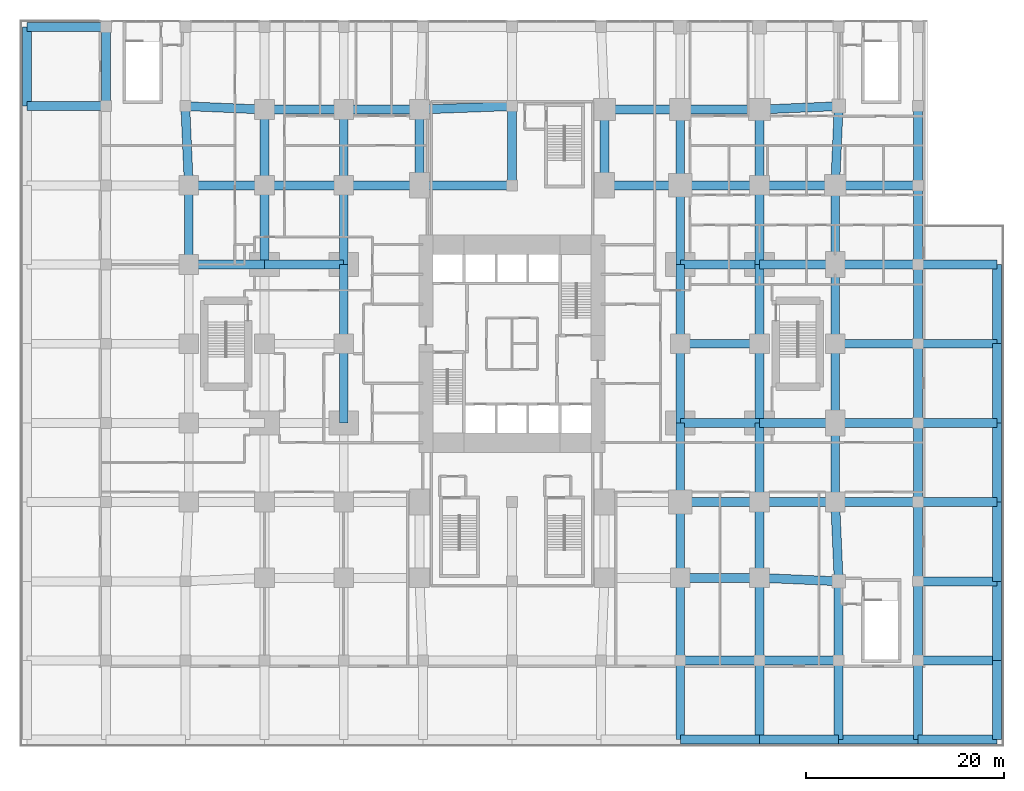
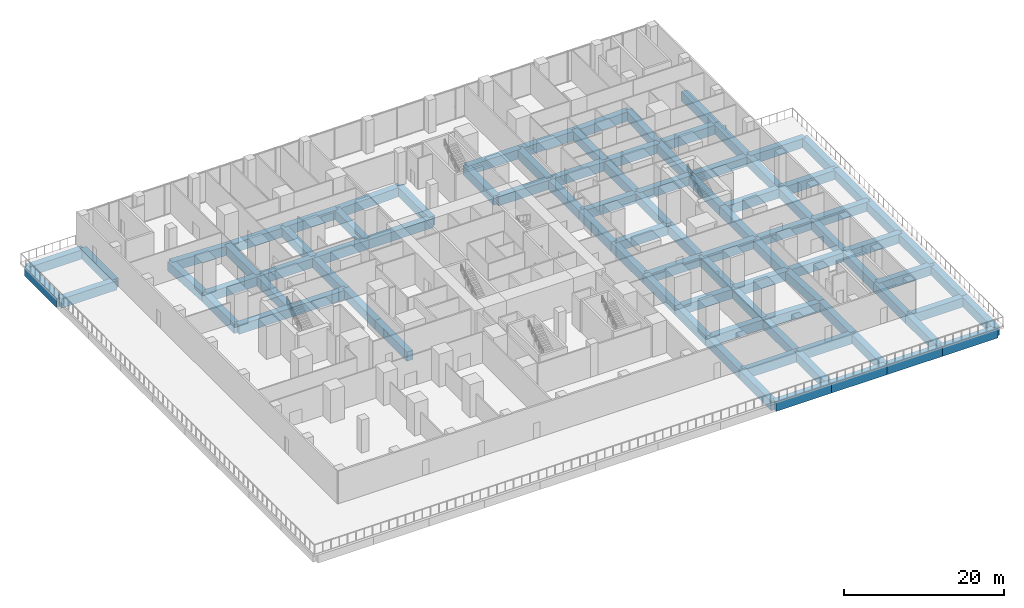
# One storey, part 2 of 19: 95 beams.
"""IFC4 building model written with IfcOpenShell, lengths in metres."""

from ifc_helpers import new_model, si_unit, direction, frame, origin, origin_2d, place, context, subcontext, project, spatial, rectangle, extrude, material, material_profile, profile_set, type_object, element, save


model = new_model("IFC4")

# Units and contexts
model_context = context("Model", 3, precision=1e-05, world=origin(), true_north=direction((0.0, 1.0)))
body_context = subcontext(model_context, "Body", "Model", "MODEL_VIEW")
ifc_project = project(units=[si_unit("LENGTHUNIT", "METRE"), si_unit("AREAUNIT", "SQUARE_METRE"), si_unit("VOLUMEUNIT", "CUBIC_METRE"), si_unit("PLANEANGLEUNIT", "RADIAN"), si_unit("MASSUNIT", "GRAM", prefix="KILO")], contexts=[model_context])

# Site, building, storey
site_placement = place(None, origin())
site = spatial("IfcSite", under=ifc_project, at=site_placement, CompositionType="ELEMENT")
building_placement = place(site_placement, origin())
building = spatial("IfcBuilding", under=site, at=building_placement, Name="Cleftline Residences", CompositionType="ELEMENT")
storey_placement = place(building_placement, frame((0.0, 0.0, 11.0)))
storey = spatial("IfcBuildingStorey", under=building, at=storey_placement, Name="L02", CompositionType="ELEMENT", Elevation=11.0)

# Beams
ifc_material = material(Name="Concrete B45", Category="concrete")
ifc_material_profile = material_profile(ifc_material, rectangle(XDim=0.89990234375, YDim=1.39990234375, at=origin_2d()))
ifc_profile_set = profile_set([ifc_material_profile], Name="Concrete B45")
beam_type = type_object("IfcBeamType", Name="BEAM RC900X1400", PredefinedType="BEAM", material=ifc_profile_set)
for number, where, z_axis, x_axis, name in (
    (1, (50.0, -16.0, -1.0), (1.0, 0.0, 0.0), (0.0, 1.0, 0.0), "Podium beam"),
    (2, (58.0, -16.0, -1.0), (1.0, 0.0, 0.0), (0.0, 1.0, 0.0), "Podium beam"),
    (3, (66.0, -16.0, -1.0), (1.0, 0.0, 0.0), (0.0, 1.0, 0.0), "Podium beam"),
    (4, (74.0, -16.0, -1.0), (1.0, 0.0, 0.0), (0.0, 1.0, 0.0), "Podium beam"),
    (5, (50.0, -8.0, -1.0), (1.0, 0.0, 0.0), (0.0, 1.0, 0.0), "Podium beam"),
    (6, (58.0, -8.0, -1.0), (1.0, 0.0, 0.0), (0.0, 1.0, 0.0), "Podium beam"),
    (7, (74.0, -8.0, -1.0), (1.0, 0.0, 0.0), (0.0, 1.0, 0.0), "Podium beam"),
    (8, (50.0, 0.35009765625, -1.0), (1.0, 0.0, 0.0), (0.0, 1.0, 0.0), "Podium beam"),
):
    element("IfcBeam", number, at=place(storey_placement, frame(where, z_axis=z_axis, x_axis=x_axis)), inside=storey, type_object=beam_type, Name=name, PredefinedType="BEAM", context=body_context, shape_type="SweptSolid", body=[
        extrude(rectangle(XDim=0.89990234375, YDim=1.39990234375, at=origin_2d()), origin(), (0.0, 0.0, 1.0), 8.0),
    ])
beam_1_placement = place(storey_placement, frame((58.0, 0.35009765625, -1.0), z_axis=(0.999043807824, -0.043720361951, 0.0), x_axis=(0.043720361951, 0.999043807824, 0.0)))
element("IfcBeam", 9, at=beam_1_placement, inside=storey, type_object=beam_type, Name="Podium beam", PredefinedType="BEAM", context=body_context, shape_type="SweptSolid", body=[
    extrude(rectangle(XDim=0.89990234375, YDim=1.39990234375, at=origin_2d()), origin(), (0.0, 0.0, 1.0), 8.007568359375),
])
for number, where, z_axis, x_axis, name in (
    (10, (74.0, 0.0, -1.0), (1.0, 0.0, 0.0), (0.0, 1.0, 0.0), "Podium beam"),
    (11, (50.0, 8.0, -1.0), (1.0, 0.0, 0.0), (0.0, 1.0, 0.0), "Podium beam"),
):
    element("IfcBeam", number, at=place(storey_placement, frame(where, z_axis=z_axis, x_axis=x_axis)), inside=storey, type_object=beam_type, Name=name, PredefinedType="BEAM", context=body_context, shape_type="SweptSolid", body=[
        extrude(rectangle(XDim=0.89990234375, YDim=1.39990234375, at=origin_2d()), origin(), (0.0, 0.0, 1.0), 8.0),
    ])
beam_2_placement = place(storey_placement, frame((58.0, 8.0, -1.0), z_axis=(1.0, 0.0, 0.0), x_axis=(0.0, 1.0, 0.0)))
element("IfcBeam", 12, at=beam_2_placement, inside=storey, type_object=beam_type, Name="Podium beam", PredefinedType="BEAM", context=body_context, shape_type="SweptSolid", body=[
    extrude(rectangle(XDim=0.89990234375, YDim=1.39990234375, at=origin_2d()), origin(), (0.0, 0.0, 1.0), 7.64990234375),
])
beam_3_placement = place(storey_placement, frame((65.64990234375, 8.0, -1.0), z_axis=(1.0, 0.0, 0.0), x_axis=(0.0, 1.0, 0.0)))
element("IfcBeam", 13, at=beam_3_placement, inside=storey, type_object=beam_type, Name="Podium beam", PredefinedType="BEAM", context=body_context, shape_type="SweptSolid", body=[
    extrude(rectangle(XDim=0.89990234375, YDim=1.39990234375, at=origin_2d()), origin(), (0.0, 0.0, 1.0), 8.35009765625),
])
for number, where, z_axis, x_axis, name in (
    (14, (74.0, 8.0, -1.0), (1.0, 0.0, 0.0), (0.0, 1.0, 0.0), "Podium beam"),
    (15, (50.0, 16.0, -1.0), (1.0, 0.0, 0.0), (0.0, 1.0, 0.0), "Podium beam"),
):
    element("IfcBeam", number, at=place(storey_placement, frame(where, z_axis=z_axis, x_axis=x_axis)), inside=storey, type_object=beam_type, Name=name, PredefinedType="BEAM", context=body_context, shape_type="SweptSolid", body=[
        extrude(rectangle(XDim=0.89990234375, YDim=1.39990234375, at=origin_2d()), origin(), (0.0, 0.0, 1.0), 8.0),
    ])
beam_4_placement = place(storey_placement, frame((58.0, 16.0, -1.0), z_axis=(1.0, 0.0, 0.0), x_axis=(0.0, 1.0, 0.0)))
element("IfcBeam", 16, at=beam_4_placement, inside=storey, type_object=beam_type, Name="Podium beam", PredefinedType="BEAM", context=body_context, shape_type="SweptSolid", body=[
    extrude(rectangle(XDim=0.89990234375, YDim=1.39990234375, at=origin_2d()), origin(), (0.0, 0.0, 1.0), 7.64990234375),
])
beam_5_placement = place(storey_placement, frame((65.64990234375, 16.0, -1.0), z_axis=(1.0, 0.0, 0.0), x_axis=(0.0, 1.0, 0.0)))
element("IfcBeam", 17, at=beam_5_placement, inside=storey, type_object=beam_type, Name="Podium beam", PredefinedType="BEAM", context=body_context, shape_type="SweptSolid", body=[
    extrude(rectangle(XDim=0.89990234375, YDim=1.39990234375, at=origin_2d()), origin(), (0.0, 0.0, 1.0), 8.35009765625),
])
for number, where, z_axis, x_axis, name in (
    (18, (74.0, 16.0, -1.0), (1.0, 0.0, 0.0), (0.0, 1.0, 0.0), "Podium beam"),
    (19, (50.0, 24.0, -1.0), (1.0, 0.0, 0.0), (0.0, 1.0, 0.0), "Podium beam"),
):
    element("IfcBeam", number, at=place(storey_placement, frame(where, z_axis=z_axis, x_axis=x_axis)), inside=storey, type_object=beam_type, Name=name, PredefinedType="BEAM", context=body_context, shape_type="SweptSolid", body=[
        extrude(rectangle(XDim=0.89990234375, YDim=1.39990234375, at=origin_2d()), origin(), (0.0, 0.0, 1.0), 8.0),
    ])
beam_6_placement = place(storey_placement, frame((65.64990234375, 24.0, -1.0), z_axis=(1.0, 0.0, 0.0), x_axis=(0.0, 1.0, 0.0)))
element("IfcBeam", 20, at=beam_6_placement, inside=storey, type_object=beam_type, Name="Podium beam", PredefinedType="BEAM", context=body_context, shape_type="SweptSolid", body=[
    extrude(rectangle(XDim=0.89990234375, YDim=1.39990234375, at=origin_2d()), origin(), (0.0, 0.0, 1.0), 8.35009765625),
])
beam_7_placement = place(storey_placement, frame((74.0, 24.0, -1.0), z_axis=(1.0, 0.0, 0.0), x_axis=(0.0, 1.0, 0.0)))
element("IfcBeam", 21, at=beam_7_placement, inside=storey, type_object=beam_type, Name="Podium beam", PredefinedType="BEAM", context=body_context, shape_type="SweptSolid", body=[
    extrude(rectangle(XDim=0.89990234375, YDim=1.39990234375, at=origin_2d()), origin(), (0.0, 0.0, 1.0), 8.0),
])
beam_8_placement = place(storey_placement, frame((0.35009765625, 32.0, -1.0), z_axis=(1.0, 0.0, 0.0), x_axis=(0.0, 1.0, 0.0)))
element("IfcBeam", 22, at=beam_8_placement, inside=storey, type_object=beam_type, Name="Podium beam", PredefinedType="BEAM", context=body_context, shape_type="SweptSolid", body=[
    extrude(rectangle(XDim=0.89990234375, YDim=1.39990234375, at=origin_2d()), origin(), (0.0, 0.0, 1.0), 7.64990234375),
])
for number, where, z_axis, x_axis, name in (
    (23, (8.0, 32.0, -1.0), (1.0, 0.0, 0.0), (0.0, 1.0, 0.0), "Podium beam"),
    (24, (50.0, 32.0, -1.0), (1.0, 0.0, 0.0), (0.0, 1.0, 0.0), "Podium beam"),
):
    element("IfcBeam", number, at=place(storey_placement, frame(where, z_axis=z_axis, x_axis=x_axis)), inside=storey, type_object=beam_type, Name=name, PredefinedType="BEAM", context=body_context, shape_type="SweptSolid", body=[
        extrude(rectangle(XDim=0.89990234375, YDim=1.39990234375, at=origin_2d()), origin(), (0.0, 0.0, 1.0), 8.0),
    ])
beam_9_placement = place(storey_placement, frame((58.0, 32.0, -1.0), z_axis=(1.0, 0.0, 0.0), x_axis=(0.0, 1.0, 0.0)))
element("IfcBeam", 25, at=beam_9_placement, inside=storey, type_object=beam_type, Name="Podium beam", PredefinedType="BEAM", context=body_context, shape_type="SweptSolid", body=[
    extrude(rectangle(XDim=0.89990234375, YDim=1.39990234375, at=origin_2d()), origin(), (0.0, 0.0, 1.0), 7.64990234375),
])
beam_10_placement = place(storey_placement, frame((65.64990234375, 32.0, -1.0), z_axis=(1.0, 0.0, 0.0), x_axis=(0.0, 1.0, 0.0)))
element("IfcBeam", 26, at=beam_10_placement, inside=storey, type_object=beam_type, Name="Podium beam", PredefinedType="BEAM", context=body_context, shape_type="SweptSolid", body=[
    extrude(rectangle(XDim=0.89990234375, YDim=1.39990234375, at=origin_2d()), origin(), (0.0, 0.0, 1.0), 8.35009765625),
])
beam_11_placement = place(storey_placement, frame((74.0, 32.0, -1.0), z_axis=(1.0, 0.0, 0.0), x_axis=(0.0, 1.0, 0.0)))
element("IfcBeam", 27, at=beam_11_placement, inside=storey, type_object=beam_type, Name="Podium beam", PredefinedType="BEAM", context=body_context, shape_type="SweptSolid", body=[
    extrude(rectangle(XDim=0.89990234375, YDim=1.39990234375, at=origin_2d()), origin(), (0.0, 0.0, 1.0), 8.0),
])
beam_12_placement = place(storey_placement, frame((0.35009765625, 40.0, -1.0), z_axis=(1.0, 0.0, 0.0), x_axis=(0.0, 1.0, 0.0)))
element("IfcBeam", 28, at=beam_12_placement, inside=storey, type_object=beam_type, Name="Podium beam", PredefinedType="BEAM", context=body_context, shape_type="SweptSolid", body=[
    extrude(rectangle(XDim=0.89990234375, YDim=1.39990234375, at=origin_2d()), origin(), (0.0, 0.0, 1.0), 7.64990234375),
])
beam_13_placement = place(storey_placement, frame((8.0, 40.0, -1.0), z_axis=(1.0, 0.0, 0.0), x_axis=(0.0, 1.0, 0.0)))
element("IfcBeam", 29, at=beam_13_placement, inside=storey, type_object=beam_type, Name="Podium beam", PredefinedType="BEAM", context=body_context, shape_type="SweptSolid", body=[
    extrude(rectangle(XDim=0.89990234375, YDim=1.39990234375, at=origin_2d()), origin(), (0.0, 0.0, 1.0), 8.0),
])
beam_14_placement = place(storey_placement, frame((16.0, 40.0, -1.0), z_axis=(1.0, 0.0, 0.0), x_axis=(0.0, 1.0, 0.0)))
element("IfcBeam", 30, at=beam_14_placement, inside=storey, type_object=beam_type, Name="Podium beam", PredefinedType="BEAM", context=body_context, shape_type="SweptSolid", body=[
    extrude(rectangle(XDim=0.89990234375, YDim=1.39990234375, at=origin_2d()), origin(), (0.0, 0.0, 1.0), 7.64990234375),
])
beam_15_placement = place(storey_placement, frame((23.64990234375, 40.0, -1.0), z_axis=(1.0, 0.0, 0.0), x_axis=(0.0, 1.0, 0.0)))
element("IfcBeam", 31, at=beam_15_placement, inside=storey, type_object=beam_type, Name="Podium beam", PredefinedType="BEAM", context=body_context, shape_type="SweptSolid", body=[
    extrude(rectangle(XDim=0.89990234375, YDim=1.39990234375, at=origin_2d()), origin(), (0.0, 0.0, 1.0), 9.35009765625),
])
beam_16_placement = place(storey_placement, frame((42.35009765625, 40.0, -1.0), z_axis=(1.0, 0.0, 0.0), x_axis=(0.0, 1.0, 0.0)))
element("IfcBeam", 32, at=beam_16_placement, inside=storey, type_object=beam_type, Name="Podium beam", PredefinedType="BEAM", context=body_context, shape_type="SweptSolid", body=[
    extrude(rectangle(XDim=0.89990234375, YDim=1.39990234375, at=origin_2d()), origin(), (0.0, 0.0, 1.0), 7.64990234375),
])
beam_17_placement = place(storey_placement, frame((50.0, 40.0, -1.0), z_axis=(1.0, 0.0, 0.0), x_axis=(0.0, 1.0, 0.0)))
element("IfcBeam", 33, at=beam_17_placement, inside=storey, type_object=beam_type, Name="Podium beam", PredefinedType="BEAM", context=body_context, shape_type="SweptSolid", body=[
    extrude(rectangle(XDim=0.89990234375, YDim=1.39990234375, at=origin_2d()), origin(), (0.0, 0.0, 1.0), 8.0),
])
beam_18_placement = place(storey_placement, frame((58.0, 40.0, -1.0), z_axis=(1.0, 0.0, 0.0), x_axis=(0.0, 1.0, 0.0)))
element("IfcBeam", 34, at=beam_18_placement, inside=storey, type_object=beam_type, Name="Podium beam", PredefinedType="BEAM", context=body_context, shape_type="SweptSolid", body=[
    extrude(rectangle(XDim=0.89990234375, YDim=1.39990234375, at=origin_2d()), origin(), (0.0, 0.0, 1.0), 7.64990234375),
])
beam_19_placement = place(storey_placement, frame((65.64990234375, 40.0, -1.0), z_axis=(1.0, 0.0, 0.0), x_axis=(0.0, 1.0, 0.0)))
element("IfcBeam", 35, at=beam_19_placement, inside=storey, type_object=beam_type, Name="Podium beam", PredefinedType="BEAM", context=body_context, shape_type="SweptSolid", body=[
    extrude(rectangle(XDim=0.89990234375, YDim=1.39990234375, at=origin_2d()), origin(), (0.0, 0.0, 1.0), 8.35009765625),
])
beam_20_placement = place(storey_placement, frame((-16.0, 48.0, -1.0), z_axis=(1.0, 0.0, 0.0), x_axis=(0.0, 1.0, 0.0)))
element("IfcBeam", 36, at=beam_20_placement, inside=storey, type_object=beam_type, Name="Podium beam", PredefinedType="BEAM", context=body_context, shape_type="SweptSolid", body=[
    extrude(rectangle(XDim=0.89990234375, YDim=1.39990234375, at=origin_2d()), origin(), (0.0, 0.0, 1.0), 8.0),
])
beam_21_placement = place(storey_placement, frame((0.0, 48.0, -1.0), z_axis=(0.999043807824, -0.043720361951, 0.0), x_axis=(0.043720361951, 0.999043807824, 0.0)))
element("IfcBeam", 37, at=beam_21_placement, inside=storey, type_object=beam_type, Name="Podium beam", PredefinedType="BEAM", context=body_context, shape_type="SweptSolid", body=[
    extrude(rectangle(XDim=0.89990234375, YDim=1.39990234375, at=origin_2d()), origin(), (0.0, 0.0, 1.0), 8.007568359375),
])
beam_22_placement = place(storey_placement, frame((8.0, 47.64990234375, -1.0), z_axis=(1.0, 0.0, 0.0), x_axis=(0.0, 1.0, 0.0)))
element("IfcBeam", 38, at=beam_22_placement, inside=storey, type_object=beam_type, Name="Podium beam", PredefinedType="BEAM", context=body_context, shape_type="SweptSolid", body=[
    extrude(rectangle(XDim=0.89990234375, YDim=1.39990234375, at=origin_2d()), origin(), (0.0, 0.0, 1.0), 8.0),
])
beam_23_placement = place(storey_placement, frame((16.0, 47.64990234375, -1.0), z_axis=(1.0, 0.0, 0.0), x_axis=(0.0, 1.0, 0.0)))
element("IfcBeam", 39, at=beam_23_placement, inside=storey, type_object=beam_type, Name="Podium beam", PredefinedType="BEAM", context=body_context, shape_type="SweptSolid", body=[
    extrude(rectangle(XDim=0.89990234375, YDim=1.39990234375, at=origin_2d()), origin(), (0.0, 0.0, 1.0), 7.64990234375),
])
beam_24_placement = place(storey_placement, frame((23.64990234375, 47.64990234375, -1.0), z_axis=(0.999299739303, 0.037416988515, 0.0), x_axis=(-0.037416988515, 0.999299739303, 0.0)))
element("IfcBeam", 40, at=beam_24_placement, inside=storey, type_object=beam_type, Name="Podium beam", PredefinedType="BEAM", context=body_context, shape_type="SweptSolid", body=[
    extrude(rectangle(XDim=0.89990234375, YDim=1.39990234375, at=origin_2d()), origin(), (0.0, 0.0, 1.0), 9.356689453125),
])
beam_25_placement = place(storey_placement, frame((42.35009765625, 47.64990234375, -1.0), z_axis=(1.0, 0.0, 0.0), x_axis=(0.0, 1.0, 0.0)))
element("IfcBeam", 41, at=beam_25_placement, inside=storey, type_object=beam_type, Name="Podium beam", PredefinedType="BEAM", context=body_context, shape_type="SweptSolid", body=[
    extrude(rectangle(XDim=0.89990234375, YDim=1.39990234375, at=origin_2d()), origin(), (0.0, 0.0, 1.0), 7.64990234375),
])
beam_26_placement = place(storey_placement, frame((50.0, 47.64990234375, -1.0), z_axis=(1.0, 0.0, 0.0), x_axis=(0.0, 1.0, 0.0)))
element("IfcBeam", 42, at=beam_26_placement, inside=storey, type_object=beam_type, Name="Podium beam", PredefinedType="BEAM", context=body_context, shape_type="SweptSolid", body=[
    extrude(rectangle(XDim=0.89990234375, YDim=1.39990234375, at=origin_2d()), origin(), (0.0, 0.0, 1.0), 8.0),
])
beam_27_placement = place(storey_placement, frame((58.0, 47.64990234375, -1.0), z_axis=(0.999043807824, 0.043720361951, 0.0), x_axis=(-0.043720361951, 0.999043807824, 0.0)))
element("IfcBeam", 43, at=beam_27_placement, inside=storey, type_object=beam_type, Name="Podium beam", PredefinedType="BEAM", context=body_context, shape_type="SweptSolid", body=[
    extrude(rectangle(XDim=0.89990234375, YDim=1.39990234375, at=origin_2d()), origin(), (0.0, 0.0, 1.0), 8.007568359375),
])
for number, where, z_axis, x_axis, name in (
    (44, (-16.0, 56.0, -1.0), (1.0, 0.0, 0.0), (0.0, 1.0, 0.0), "Podium beam"),
    (45, (-16.0, 48.0, -1.0), (0.0, 1.0, 0.0), (-1.0, 0.0, 0.0), "Podium beam"),
    (46, (-8.0, 48.0, -1.0), (0.0, 1.0, 0.0), (-1.0, 0.0, 0.0), "Podium beam"),
    (47, (0.35009765625, 32.0, -1.0), (0.0, 1.0, 0.0), (-1.0, 0.0, 0.0), "Podium beam"),
):
    element("IfcBeam", number, at=place(storey_placement, frame(where, z_axis=z_axis, x_axis=x_axis)), inside=storey, type_object=beam_type, Name=name, PredefinedType="BEAM", context=body_context, shape_type="SweptSolid", body=[
        extrude(rectangle(XDim=0.89990234375, YDim=1.39990234375, at=origin_2d()), origin(), (0.0, 0.0, 1.0), 8.0),
    ])
beam_28_placement = place(storey_placement, frame((0.35009765625, 40.0, -1.0), z_axis=(-0.043720361951, 0.999043807824, 0.0), x_axis=(-0.999043807824, -0.043720361951, 0.0)))
element("IfcBeam", 48, at=beam_28_placement, inside=storey, type_object=beam_type, Name="Podium beam", PredefinedType="BEAM", context=body_context, shape_type="SweptSolid", body=[
    extrude(rectangle(XDim=0.89990234375, YDim=1.39990234375, at=origin_2d()), origin(), (0.0, 0.0, 1.0), 8.007568359375),
])
beam_29_placement = place(storey_placement, frame((8.0, 32.0, -1.0), z_axis=(0.0, 1.0, 0.0), x_axis=(-1.0, 0.0, 0.0)))
element("IfcBeam", 49, at=beam_29_placement, inside=storey, type_object=beam_type, Name="Podium beam", PredefinedType="BEAM", context=body_context, shape_type="SweptSolid", body=[
    extrude(rectangle(XDim=0.89990234375, YDim=1.39990234375, at=origin_2d()), origin(), (0.0, 0.0, 1.0), 8.0),
])
beam_30_placement = place(storey_placement, frame((8.0, 40.0, -1.0), z_axis=(0.0, 1.0, 0.0), x_axis=(-1.0, 0.0, 0.0)))
element("IfcBeam", 50, at=beam_30_placement, inside=storey, type_object=beam_type, Name="Podium beam", PredefinedType="BEAM", context=body_context, shape_type="SweptSolid", body=[
    extrude(rectangle(XDim=0.89990234375, YDim=1.39990234375, at=origin_2d()), origin(), (0.0, 0.0, 1.0), 7.64990234375),
])
for number, where, z_axis, x_axis, name in (
    (51, (16.0, 16.0, -1.0), (0.0, 1.0, 0.0), (-1.0, 0.0, 0.0), "Podium beam"),
    (52, (16.0, 24.0, -1.0), (0.0, 1.0, 0.0), (-1.0, 0.0, 0.0), "Podium beam"),
    (53, (16.0, 32.0, -1.0), (0.0, 1.0, 0.0), (-1.0, 0.0, 0.0), "Podium beam"),
):
    element("IfcBeam", number, at=place(storey_placement, frame(where, z_axis=z_axis, x_axis=x_axis)), inside=storey, type_object=beam_type, Name=name, PredefinedType="BEAM", context=body_context, shape_type="SweptSolid", body=[
        extrude(rectangle(XDim=0.89990234375, YDim=1.39990234375, at=origin_2d()), origin(), (0.0, 0.0, 1.0), 8.0),
    ])
for number, where, z_axis, x_axis, name in (
    (54, (16.0, 40.0, -1.0), (0.0, 1.0, 0.0), (-1.0, 0.0, 0.0), "Podium beam"),
    (55, (23.64990234375, 40.0, -1.0), (0.0, 1.0, 0.0), (-1.0, 0.0, 0.0), "Podium beam"),
):
    element("IfcBeam", number, at=place(storey_placement, frame(where, z_axis=z_axis, x_axis=x_axis)), inside=storey, type_object=beam_type, Name=name, PredefinedType="BEAM", context=body_context, shape_type="SweptSolid", body=[
        extrude(rectangle(XDim=0.89990234375, YDim=1.39990234375, at=origin_2d()), origin(), (0.0, 0.0, 1.0), 7.64990234375),
    ])
beam_31_placement = place(storey_placement, frame((33.0, 40.0, -1.0), z_axis=(0.0, 1.0, 0.0), x_axis=(-1.0, 0.0, 0.0)))
element("IfcBeam", 56, at=beam_31_placement, inside=storey, type_object=beam_type, Name="Podium beam", PredefinedType="BEAM", context=body_context, shape_type="SweptSolid", body=[
    extrude(rectangle(XDim=0.89990234375, YDim=1.39990234375, at=origin_2d()), origin(), (0.0, 0.0, 1.0), 8.0),
])
beam_32_placement = place(storey_placement, frame((42.35009765625, 40.0, -1.0), z_axis=(0.0, 1.0, 0.0), x_axis=(-1.0, 0.0, 0.0)))
element("IfcBeam", 57, at=beam_32_placement, inside=storey, type_object=beam_type, Name="Podium beam", PredefinedType="BEAM", context=body_context, shape_type="SweptSolid", body=[
    extrude(rectangle(XDim=0.89990234375, YDim=1.39990234375, at=origin_2d()), origin(), (0.0, 0.0, 1.0), 7.64990234375),
])
beam_33_placement = place(storey_placement, frame((50.0, -16.0, -1.0), z_axis=(0.0, 1.0, 0.0), x_axis=(-1.0, 0.0, 0.0)))
element("IfcBeam", 58, at=beam_33_placement, inside=storey, type_object=beam_type, Name="Podium beam", PredefinedType="BEAM", context=body_context, shape_type="SweptSolid", body=[
    extrude(rectangle(XDim=0.89990234375, YDim=1.39990234375, at=origin_2d()), origin(), (0.0, 0.0, 1.0), 8.0),
])
beam_34_placement = place(storey_placement, frame((50.0, -8.0, -1.0), z_axis=(0.0, 1.0, 0.0), x_axis=(-1.0, 0.0, 0.0)))
element("IfcBeam", 59, at=beam_34_placement, inside=storey, type_object=beam_type, Name="Podium beam", PredefinedType="BEAM", context=body_context, shape_type="SweptSolid", body=[
    extrude(rectangle(XDim=0.89990234375, YDim=1.39990234375, at=origin_2d()), origin(), (0.0, 0.0, 1.0), 8.35009765625),
])
beam_35_placement = place(storey_placement, frame((50.0, 0.35009765625, -1.0), z_axis=(0.0, 1.0, 0.0), x_axis=(-1.0, 0.0, 0.0)))
element("IfcBeam", 60, at=beam_35_placement, inside=storey, type_object=beam_type, Name="Podium beam", PredefinedType="BEAM", context=body_context, shape_type="SweptSolid", body=[
    extrude(rectangle(XDim=0.89990234375, YDim=1.39990234375, at=origin_2d()), origin(), (0.0, 0.0, 1.0), 7.64990234375),
])
for number, where, z_axis, x_axis, name in (
    (61, (50.0, 8.0, -1.0), (0.0, 1.0, 0.0), (-1.0, 0.0, 0.0), "Podium beam"),
    (62, (50.0, 16.0, -1.0), (0.0, 1.0, 0.0), (-1.0, 0.0, 0.0), "Podium beam"),
    (63, (50.0, 24.0, -1.0), (0.0, 1.0, 0.0), (-1.0, 0.0, 0.0), "Podium beam"),
    (64, (50.0, 32.0, -1.0), (0.0, 1.0, 0.0), (-1.0, 0.0, 0.0), "Podium beam"),
):
    element("IfcBeam", number, at=place(storey_placement, frame(where, z_axis=z_axis, x_axis=x_axis)), inside=storey, type_object=beam_type, Name=name, PredefinedType="BEAM", context=body_context, shape_type="SweptSolid", body=[
        extrude(rectangle(XDim=0.89990234375, YDim=1.39990234375, at=origin_2d()), origin(), (0.0, 0.0, 1.0), 8.0),
    ])
beam_36_placement = place(storey_placement, frame((50.0, 40.0, -1.0), z_axis=(0.0, 1.0, 0.0), x_axis=(-1.0, 0.0, 0.0)))
element("IfcBeam", 65, at=beam_36_placement, inside=storey, type_object=beam_type, Name="Podium beam", PredefinedType="BEAM", context=body_context, shape_type="SweptSolid", body=[
    extrude(rectangle(XDim=0.89990234375, YDim=1.39990234375, at=origin_2d()), origin(), (0.0, 0.0, 1.0), 7.64990234375),
])
beam_37_placement = place(storey_placement, frame((58.0, -16.0, -1.0), z_axis=(0.0, 1.0, 0.0), x_axis=(-1.0, 0.0, 0.0)))
element("IfcBeam", 66, at=beam_37_placement, inside=storey, type_object=beam_type, Name="Podium beam", PredefinedType="BEAM", context=body_context, shape_type="SweptSolid", body=[
    extrude(rectangle(XDim=0.89990234375, YDim=1.39990234375, at=origin_2d()), origin(), (0.0, 0.0, 1.0), 8.0),
])
beam_38_placement = place(storey_placement, frame((58.0, -8.0, -1.0), z_axis=(0.0, 1.0, 0.0), x_axis=(-1.0, 0.0, 0.0)))
element("IfcBeam", 67, at=beam_38_placement, inside=storey, type_object=beam_type, Name="Podium beam", PredefinedType="BEAM", context=body_context, shape_type="SweptSolid", body=[
    extrude(rectangle(XDim=0.89990234375, YDim=1.39990234375, at=origin_2d()), origin(), (0.0, 0.0, 1.0), 8.35009765625),
])
beam_39_placement = place(storey_placement, frame((58.0, 0.35009765625, -1.0), z_axis=(0.0, 1.0, 0.0), x_axis=(-1.0, 0.0, 0.0)))
element("IfcBeam", 68, at=beam_39_placement, inside=storey, type_object=beam_type, Name="Podium beam", PredefinedType="BEAM", context=body_context, shape_type="SweptSolid", body=[
    extrude(rectangle(XDim=0.89990234375, YDim=1.39990234375, at=origin_2d()), origin(), (0.0, 0.0, 1.0), 7.64990234375),
])
for number, where, z_axis, x_axis, name in (
    (69, (58.0, 8.0, -1.0), (0.0, 1.0, 0.0), (-1.0, 0.0, 0.0), "Podium beam"),
    (70, (58.0, 16.0, -1.0), (0.0, 1.0, 0.0), (-1.0, 0.0, 0.0), "Podium beam"),
    (71, (58.0, 24.0, -1.0), (0.0, 1.0, 0.0), (-1.0, 0.0, 0.0), "Podium beam"),
    (72, (58.0, 32.0, -1.0), (0.0, 1.0, 0.0), (-1.0, 0.0, 0.0), "Podium beam"),
):
    element("IfcBeam", number, at=place(storey_placement, frame(where, z_axis=z_axis, x_axis=x_axis)), inside=storey, type_object=beam_type, Name=name, PredefinedType="BEAM", context=body_context, shape_type="SweptSolid", body=[
        extrude(rectangle(XDim=0.89990234375, YDim=1.39990234375, at=origin_2d()), origin(), (0.0, 0.0, 1.0), 8.0),
    ])
beam_40_placement = place(storey_placement, frame((58.0, 40.0, -1.0), z_axis=(0.0, 1.0, 0.0), x_axis=(-1.0, 0.0, 0.0)))
element("IfcBeam", 73, at=beam_40_placement, inside=storey, type_object=beam_type, Name="Podium beam", PredefinedType="BEAM", context=body_context, shape_type="SweptSolid", body=[
    extrude(rectangle(XDim=0.89990234375, YDim=1.39990234375, at=origin_2d()), origin(), (0.0, 0.0, 1.0), 7.64990234375),
])
for number, where, z_axis, x_axis, name in (
    (74, (66.0, -16.0, -1.0), (0.0, 1.0, 0.0), (-1.0, 0.0, 0.0), "Podium beam"),
    (75, (66.0, -8.0, -1.0), (0.0, 1.0, 0.0), (-1.0, 0.0, 0.0), "Podium beam"),
):
    element("IfcBeam", number, at=place(storey_placement, frame(where, z_axis=z_axis, x_axis=x_axis)), inside=storey, type_object=beam_type, Name=name, PredefinedType="BEAM", context=body_context, shape_type="SweptSolid", body=[
        extrude(rectangle(XDim=0.89990234375, YDim=1.39990234375, at=origin_2d()), origin(), (0.0, 0.0, 1.0), 8.0),
    ])
beam_41_placement = place(storey_placement, frame((66.0, 0.0, -1.0), z_axis=(-0.043720361951, 0.999043807824, 0.0), x_axis=(-0.999043807824, -0.043720361951, 0.0)))
element("IfcBeam", 76, at=beam_41_placement, inside=storey, type_object=beam_type, Name="Podium beam", PredefinedType="BEAM", context=body_context, shape_type="SweptSolid", body=[
    extrude(rectangle(XDim=0.89990234375, YDim=1.39990234375, at=origin_2d()), origin(), (0.0, 0.0, 1.0), 8.007568359375),
])
for number, where, z_axis, x_axis, name in (
    (77, (65.64990234375, 8.0, -1.0), (0.0, 1.0, 0.0), (-1.0, 0.0, 0.0), "Podium beam"),
    (78, (65.64990234375, 16.0, -1.0), (0.0, 1.0, 0.0), (-1.0, 0.0, 0.0), "Podium beam"),
    (79, (65.64990234375, 24.0, -1.0), (0.0, 1.0, 0.0), (-1.0, 0.0, 0.0), "Podium beam"),
    (80, (65.64990234375, 32.0, -1.0), (0.0, 1.0, 0.0), (-1.0, 0.0, 0.0), "Podium beam"),
):
    element("IfcBeam", number, at=place(storey_placement, frame(where, z_axis=z_axis, x_axis=x_axis)), inside=storey, type_object=beam_type, Name=name, PredefinedType="BEAM", context=body_context, shape_type="SweptSolid", body=[
        extrude(rectangle(XDim=0.89990234375, YDim=1.39990234375, at=origin_2d()), origin(), (0.0, 0.0, 1.0), 8.0),
    ])
beam_42_placement = place(storey_placement, frame((65.64990234375, 40.0, -1.0), z_axis=(0.043720361951, 0.999043807824, 0.0), x_axis=(-0.999043807824, 0.043720361951, 0.0)))
element("IfcBeam", 81, at=beam_42_placement, inside=storey, type_object=beam_type, Name="Podium beam", PredefinedType="BEAM", context=body_context, shape_type="SweptSolid", body=[
    extrude(rectangle(XDim=0.89990234375, YDim=1.39990234375, at=origin_2d()), origin(), (0.0, 0.0, 1.0), 8.007568359375),
])
for number, where, z_axis, x_axis, name in (
    (82, (74.0, -16.0, -1.0), (0.0, 1.0, 0.0), (-1.0, 0.0, 0.0), "Podium beam"),
    (83, (74.0, -8.0, -1.0), (0.0, 1.0, 0.0), (-1.0, 0.0, 0.0), "Podium beam"),
    (84, (74.0, 0.0, -1.0), (0.0, 1.0, 0.0), (-1.0, 0.0, 0.0), "Podium beam"),
    (85, (74.0, 8.0, -1.0), (0.0, 1.0, 0.0), (-1.0, 0.0, 0.0), "Podium beam"),
    (86, (74.0, 16.0, -1.0), (0.0, 1.0, 0.0), (-1.0, 0.0, 0.0), "Podium beam"),
    (87, (74.0, 24.0, -1.0), (0.0, 1.0, 0.0), (-1.0, 0.0, 0.0), "Podium beam"),
    (88, (74.0, 32.0, -1.0), (0.0, 1.0, 0.0), (-1.0, 0.0, 0.0), "Podium beam"),
    (89, (74.0, 40.0, -1.0), (0.0, 1.0, 0.0), (-1.0, 0.0, 0.0), "Podium beam"),
    (90, (82.0, -16.0, -1.0), (0.0, 1.0, 0.0), (-1.0, 0.0, 0.0), "Podium beam"),
    (91, (82.0, -8.0, -1.0), (0.0, 1.0, 0.0), (-1.0, 0.0, 0.0), "Podium beam"),
    (92, (82.0, 0.0, -1.0), (0.0, 1.0, 0.0), (-1.0, 0.0, 0.0), "Podium beam"),
    (93, (82.0, 8.0, -1.0), (0.0, 1.0, 0.0), (-1.0, 0.0, 0.0), "Podium beam"),
    (94, (82.0, 16.0, -1.0), (0.0, 1.0, 0.0), (-1.0, 0.0, 0.0), "Podium beam"),
    (95, (82.0, 24.0, -1.0), (0.0, 1.0, 0.0), (-1.0, 0.0, 0.0), "Podium beam"),
):
    element("IfcBeam", number, at=place(storey_placement, frame(where, z_axis=z_axis, x_axis=x_axis)), inside=storey, type_object=beam_type, Name=name, PredefinedType="BEAM", context=body_context, shape_type="SweptSolid", body=[
        extrude(rectangle(XDim=0.89990234375, YDim=1.39990234375, at=origin_2d()), origin(), (0.0, 0.0, 1.0), 8.0),
    ])

save(model, "model.ifc")
